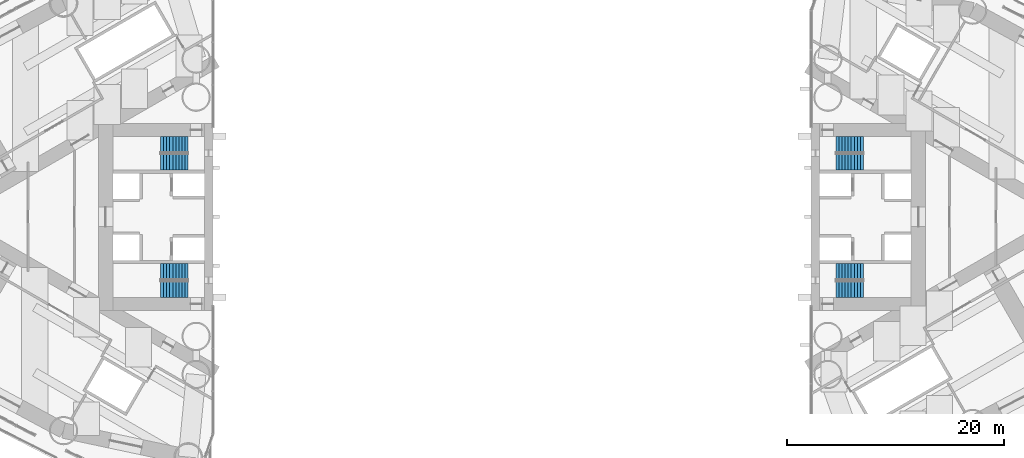
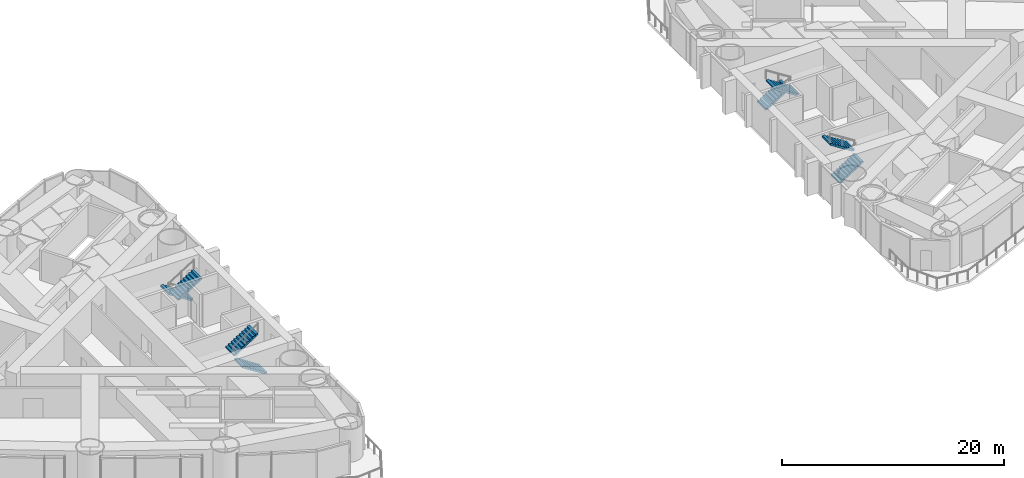
# One storey, part 17 of 19: 8 stair flights, 4 elements without a shape of their own.
"""IFC4 building model written with IfcOpenShell, lengths in metres."""

from ifc_helpers import new_model, si_unit, direction, frame, origin, place, context, subcontext, project, spatial, polyline, outline, extrude, material, type_object, element, aggregate, save


model = new_model("IFC4")

# Units and contexts
model_context = context("Model", 3, precision=1e-05, world=origin(), true_north=direction((0.0, 1.0)))
body_context = subcontext(model_context, "Body", "Model", "MODEL_VIEW")
ifc_project = project(units=[si_unit("LENGTHUNIT", "METRE"), si_unit("AREAUNIT", "SQUARE_METRE"), si_unit("VOLUMEUNIT", "CUBIC_METRE"), si_unit("PLANEANGLEUNIT", "RADIAN"), si_unit("MASSUNIT", "GRAM", prefix="KILO")], contexts=[model_context])

# Site, building, storey
site_placement = place(None, origin())
site = spatial("IfcSite", under=ifc_project, at=site_placement, CompositionType="ELEMENT")
building_placement = place(site_placement, origin())
building = spatial("IfcBuilding", under=site, at=building_placement, Name="Lancet Gate Hotel", CompositionType="ELEMENT")
storey_placement = place(building_placement, frame((0.0, 0.0, 87.0)))
storey = spatial("IfcBuildingStorey", under=building, at=storey_placement, Name="L22", CompositionType="ELEMENT", Elevation=87.0)

# Stair, stair flights
ifc_material_1 = material(Name="Exit stair 20 risers 1500")
stair_type = type_object("IfcStairType", Name="Exit stair 20 risers 1500", PredefinedType="HALF_TURN_STAIR", material=ifc_material_1)
stair_1_placement = place(storey_placement, origin())
stair_1 = element("IfcStair", 1, at=stair_1_placement, inside=storey, type_object=stair_type, Name="T1 stair 1 L22", PredefinedType="HALF_TURN_STAIR")
ifc_material_2 = material(Name="Stair flight 10 risers 180 rise 1500")
stair_flight_type = type_object("IfcStairFlightType", Name="Stair flight 10 risers 180 rise 1500", PredefinedType="STRAIGHT", material=ifc_material_2)
stair_flight_1_placement = place(storey_placement, frame((-29.800048828125, 6.64990234375, 0.0), z_axis=(0.0, 0.0, 1.0), x_axis=(-1.0, 0.0, 0.0)))
stair_flight_1 = element("IfcStairFlight", 2, at=stair_flight_1_placement, type_object=stair_flight_type, Name="ST1 flight 1", NumberOfRisers=10, NumberOfTreads=9, PredefinedType="STRAIGHT", RiserHeight=0.18, TreadLength=0.28, context=body_context, shape_type="SweptSolid", body=[
    extrude(outline(polyline([(0.0, 0.0), (0.0, 0.179931640625), (0.280029296875, 0.179931640625), (0.280029296875, 0.360107421875), (0.56005859375, 0.360107421875), (0.56005859375, 0.5400390625), (0.840087890625, 0.5400390625), (0.840087890625, 0.719970703125), (1.1201171875, 0.719970703125), (1.1201171875, 0.89990234375), (1.39990234375, 0.89990234375), (1.39990234375, 1.080078125), (1.679931640625, 1.080078125), (1.679931640625, 1.260009765625), (1.9599609375, 1.260009765625), (1.9599609375, 1.43994140625), (2.239990234375, 1.43994140625), (2.239990234375, 1.6201171875), (2.52001953125, 1.6201171875), (2.52001953125, 1.800048828125), (2.52001953125, 1.44189453125), (0.277099609375, 0.0), (0.0, 0.0)])), frame((0.0, 0.75, 0.0), z_axis=(0.0, -1.0, 0.0), x_axis=(1.0, 0.0, 0.0)), (0.0, 0.0, 1.0), 1.5),
])
stair_flight_2_placement = place(storey_placement, frame((-32.320068359375, 5.050048828125, 1.800048828125), z_axis=(0.0, 0.0, 1.0), x_axis=(1.0, 0.0, 0.0)))
stair_flight_2 = element("IfcStairFlight", 3, at=stair_flight_2_placement, type_object=stair_flight_type, Name="ST1 flight 2", NumberOfRisers=10, NumberOfTreads=9, PredefinedType="STRAIGHT", RiserHeight=0.18, TreadLength=0.28, context=body_context, shape_type="SweptSolid", body=[
    extrude(outline(polyline([(0.0, 0.0), (0.0, 0.179931640625), (0.280029296875, 0.179931640625), (0.280029296875, 0.360107421875), (0.56005859375, 0.360107421875), (0.56005859375, 0.5400390625), (0.840087890625, 0.5400390625), (0.840087890625, 0.719970703125), (1.1201171875, 0.719970703125), (1.1201171875, 0.89990234375), (1.39990234375, 0.89990234375), (1.39990234375, 1.080078125), (1.679931640625, 1.080078125), (1.679931640625, 1.260009765625), (1.9599609375, 1.260009765625), (1.9599609375, 1.43994140625), (2.239990234375, 1.43994140625), (2.239990234375, 1.6201171875), (2.52001953125, 1.6201171875), (2.52001953125, 1.800048828125), (2.52001953125, 1.44189453125), (0.277099609375, 0.0), (0.0, 0.0)])), frame((0.0, 0.75, 0.0), z_axis=(0.0, -1.0, 0.0), x_axis=(1.0, 0.0, 0.0)), (0.0, 0.0, 1.0), 1.5),
])
aggregate(stair_1, [stair_flight_1, stair_flight_2])

stair_2_placement = place(storey_placement, origin())
stair_2 = element("IfcStair", 4, at=stair_2_placement, inside=storey, type_object=stair_type, Name="T1 stair 2 L22", PredefinedType="HALF_TURN_STAIR")
stair_flight_3_placement = place(storey_placement, frame((-29.800048828125, -6.64990234375, 0.0), z_axis=(0.0, 0.0, 1.0), x_axis=(-1.0, 0.0, 0.0)))
stair_flight_3 = element("IfcStairFlight", 5, at=stair_flight_3_placement, type_object=stair_flight_type, Name="ST2 flight 1", NumberOfRisers=10, NumberOfTreads=9, PredefinedType="STRAIGHT", RiserHeight=0.18, TreadLength=0.28, context=body_context, shape_type="SweptSolid", body=[
    extrude(outline(polyline([(0.0, 0.0), (0.0, 0.179931640625), (0.280029296875, 0.179931640625), (0.280029296875, 0.360107421875), (0.56005859375, 0.360107421875), (0.56005859375, 0.5400390625), (0.840087890625, 0.5400390625), (0.840087890625, 0.719970703125), (1.1201171875, 0.719970703125), (1.1201171875, 0.89990234375), (1.39990234375, 0.89990234375), (1.39990234375, 1.080078125), (1.679931640625, 1.080078125), (1.679931640625, 1.260009765625), (1.9599609375, 1.260009765625), (1.9599609375, 1.43994140625), (2.239990234375, 1.43994140625), (2.239990234375, 1.6201171875), (2.52001953125, 1.6201171875), (2.52001953125, 1.800048828125), (2.52001953125, 1.44189453125), (0.277099609375, 0.0), (0.0, 0.0)])), frame((0.0, 0.75, 0.0), z_axis=(0.0, -1.0, 0.0), x_axis=(1.0, 0.0, 0.0)), (0.0, 0.0, 1.0), 1.5),
])
stair_flight_4_placement = place(storey_placement, frame((-32.320068359375, -5.050048828125, 1.800048828125), z_axis=(0.0, 0.0, 1.0), x_axis=(1.0, 0.0, 0.0)))
stair_flight_4 = element("IfcStairFlight", 6, at=stair_flight_4_placement, type_object=stair_flight_type, Name="ST2 flight 2", NumberOfRisers=10, NumberOfTreads=9, PredefinedType="STRAIGHT", RiserHeight=0.18, TreadLength=0.28, context=body_context, shape_type="SweptSolid", body=[
    extrude(outline(polyline([(0.0, 0.0), (0.0, 0.179931640625), (0.280029296875, 0.179931640625), (0.280029296875, 0.360107421875), (0.56005859375, 0.360107421875), (0.56005859375, 0.5400390625), (0.840087890625, 0.5400390625), (0.840087890625, 0.719970703125), (1.1201171875, 0.719970703125), (1.1201171875, 0.89990234375), (1.39990234375, 0.89990234375), (1.39990234375, 1.080078125), (1.679931640625, 1.080078125), (1.679931640625, 1.260009765625), (1.9599609375, 1.260009765625), (1.9599609375, 1.43994140625), (2.239990234375, 1.43994140625), (2.239990234375, 1.6201171875), (2.52001953125, 1.6201171875), (2.52001953125, 1.800048828125), (2.52001953125, 1.44189453125), (0.277099609375, 0.0), (0.0, 0.0)])), frame((0.0, 0.75, 0.0), z_axis=(0.0, -1.0, 0.0), x_axis=(1.0, 0.0, 0.0)), (0.0, 0.0, 1.0), 1.5),
])
aggregate(stair_2, [stair_flight_3, stair_flight_4])

stair_3_placement = place(storey_placement, origin())
stair_3 = element("IfcStair", 7, at=stair_3_placement, inside=storey, type_object=stair_type, Name="T2 stair 1 L22", PredefinedType="HALF_TURN_STAIR")
stair_flight_5_placement = place(storey_placement, frame((29.800048828125, -6.64990234375, 0.0), z_axis=(0.0, 0.0, 1.0), x_axis=(1.0, 0.0, 0.0)))
stair_flight_5 = element("IfcStairFlight", 8, at=stair_flight_5_placement, type_object=stair_flight_type, Name="ST3 flight 1", NumberOfRisers=10, NumberOfTreads=9, PredefinedType="STRAIGHT", RiserHeight=0.18, TreadLength=0.28, context=body_context, shape_type="SweptSolid", body=[
    extrude(outline(polyline([(0.0, 0.0), (0.0, 0.179931640625), (0.280029296875, 0.179931640625), (0.280029296875, 0.360107421875), (0.56005859375, 0.360107421875), (0.56005859375, 0.5400390625), (0.840087890625, 0.5400390625), (0.840087890625, 0.719970703125), (1.1201171875, 0.719970703125), (1.1201171875, 0.89990234375), (1.39990234375, 0.89990234375), (1.39990234375, 1.080078125), (1.679931640625, 1.080078125), (1.679931640625, 1.260009765625), (1.9599609375, 1.260009765625), (1.9599609375, 1.43994140625), (2.239990234375, 1.43994140625), (2.239990234375, 1.6201171875), (2.52001953125, 1.6201171875), (2.52001953125, 1.800048828125), (2.52001953125, 1.44189453125), (0.277099609375, 0.0), (0.0, 0.0)])), frame((0.0, 0.75, 0.0), z_axis=(0.0, -1.0, 0.0), x_axis=(1.0, 0.0, 0.0)), (0.0, 0.0, 1.0), 1.5),
])
stair_flight_6_placement = place(storey_placement, frame((32.320068359375, -5.050048828125, 1.800048828125), z_axis=(0.0, 0.0, 1.0), x_axis=(-1.0, 0.0, 0.0)))
stair_flight_6 = element("IfcStairFlight", 9, at=stair_flight_6_placement, type_object=stair_flight_type, Name="ST3 flight 2", NumberOfRisers=10, NumberOfTreads=9, PredefinedType="STRAIGHT", RiserHeight=0.18, TreadLength=0.28, context=body_context, shape_type="SweptSolid", body=[
    extrude(outline(polyline([(0.0, 0.0), (0.0, 0.179931640625), (0.280029296875, 0.179931640625), (0.280029296875, 0.360107421875), (0.56005859375, 0.360107421875), (0.56005859375, 0.5400390625), (0.840087890625, 0.5400390625), (0.840087890625, 0.719970703125), (1.1201171875, 0.719970703125), (1.1201171875, 0.89990234375), (1.39990234375, 0.89990234375), (1.39990234375, 1.080078125), (1.679931640625, 1.080078125), (1.679931640625, 1.260009765625), (1.9599609375, 1.260009765625), (1.9599609375, 1.43994140625), (2.239990234375, 1.43994140625), (2.239990234375, 1.6201171875), (2.52001953125, 1.6201171875), (2.52001953125, 1.800048828125), (2.52001953125, 1.44189453125), (0.277099609375, 0.0), (0.0, 0.0)])), frame((0.0, 0.75, 0.0), z_axis=(0.0, -1.0, 0.0), x_axis=(1.0, 0.0, 0.0)), (0.0, 0.0, 1.0), 1.5),
])
aggregate(stair_3, [stair_flight_5, stair_flight_6])

stair_4_placement = place(storey_placement, origin())
stair_4 = element("IfcStair", 10, at=stair_4_placement, inside=storey, type_object=stair_type, Name="T2 stair 2 L22", PredefinedType="HALF_TURN_STAIR")
stair_flight_7_placement = place(storey_placement, frame((29.800048828125, 6.64990234375, 0.0), z_axis=(0.0, 0.0, 1.0), x_axis=(1.0, 0.0, 0.0)))
stair_flight_7 = element("IfcStairFlight", 11, at=stair_flight_7_placement, type_object=stair_flight_type, Name="ST4 flight 1", NumberOfRisers=10, NumberOfTreads=9, PredefinedType="STRAIGHT", RiserHeight=0.18, TreadLength=0.28, context=body_context, shape_type="SweptSolid", body=[
    extrude(outline(polyline([(0.0, 0.0), (0.0, 0.179931640625), (0.280029296875, 0.179931640625), (0.280029296875, 0.360107421875), (0.56005859375, 0.360107421875), (0.56005859375, 0.5400390625), (0.840087890625, 0.5400390625), (0.840087890625, 0.719970703125), (1.1201171875, 0.719970703125), (1.1201171875, 0.89990234375), (1.39990234375, 0.89990234375), (1.39990234375, 1.080078125), (1.679931640625, 1.080078125), (1.679931640625, 1.260009765625), (1.9599609375, 1.260009765625), (1.9599609375, 1.43994140625), (2.239990234375, 1.43994140625), (2.239990234375, 1.6201171875), (2.52001953125, 1.6201171875), (2.52001953125, 1.800048828125), (2.52001953125, 1.44189453125), (0.277099609375, 0.0), (0.0, 0.0)])), frame((0.0, 0.75, 0.0), z_axis=(0.0, -1.0, 0.0), x_axis=(1.0, 0.0, 0.0)), (0.0, 0.0, 1.0), 1.5),
])
stair_flight_8_placement = place(storey_placement, frame((32.320068359375, 5.050048828125, 1.800048828125), z_axis=(0.0, 0.0, 1.0), x_axis=(-1.0, 0.0, 0.0)))
stair_flight_8 = element("IfcStairFlight", 12, at=stair_flight_8_placement, type_object=stair_flight_type, Name="ST4 flight 2", NumberOfRisers=10, NumberOfTreads=9, PredefinedType="STRAIGHT", RiserHeight=0.18, TreadLength=0.28, context=body_context, shape_type="SweptSolid", body=[
    extrude(outline(polyline([(0.0, 0.0), (0.0, 0.179931640625), (0.280029296875, 0.179931640625), (0.280029296875, 0.360107421875), (0.56005859375, 0.360107421875), (0.56005859375, 0.5400390625), (0.840087890625, 0.5400390625), (0.840087890625, 0.719970703125), (1.1201171875, 0.719970703125), (1.1201171875, 0.89990234375), (1.39990234375, 0.89990234375), (1.39990234375, 1.080078125), (1.679931640625, 1.080078125), (1.679931640625, 1.260009765625), (1.9599609375, 1.260009765625), (1.9599609375, 1.43994140625), (2.239990234375, 1.43994140625), (2.239990234375, 1.6201171875), (2.52001953125, 1.6201171875), (2.52001953125, 1.800048828125), (2.52001953125, 1.44189453125), (0.277099609375, 0.0), (0.0, 0.0)])), frame((0.0, 0.75, 0.0), z_axis=(0.0, -1.0, 0.0), x_axis=(1.0, 0.0, 0.0)), (0.0, 0.0, 1.0), 1.5),
])
aggregate(stair_4, [stair_flight_7, stair_flight_8])

save(model, "model.ifc")
